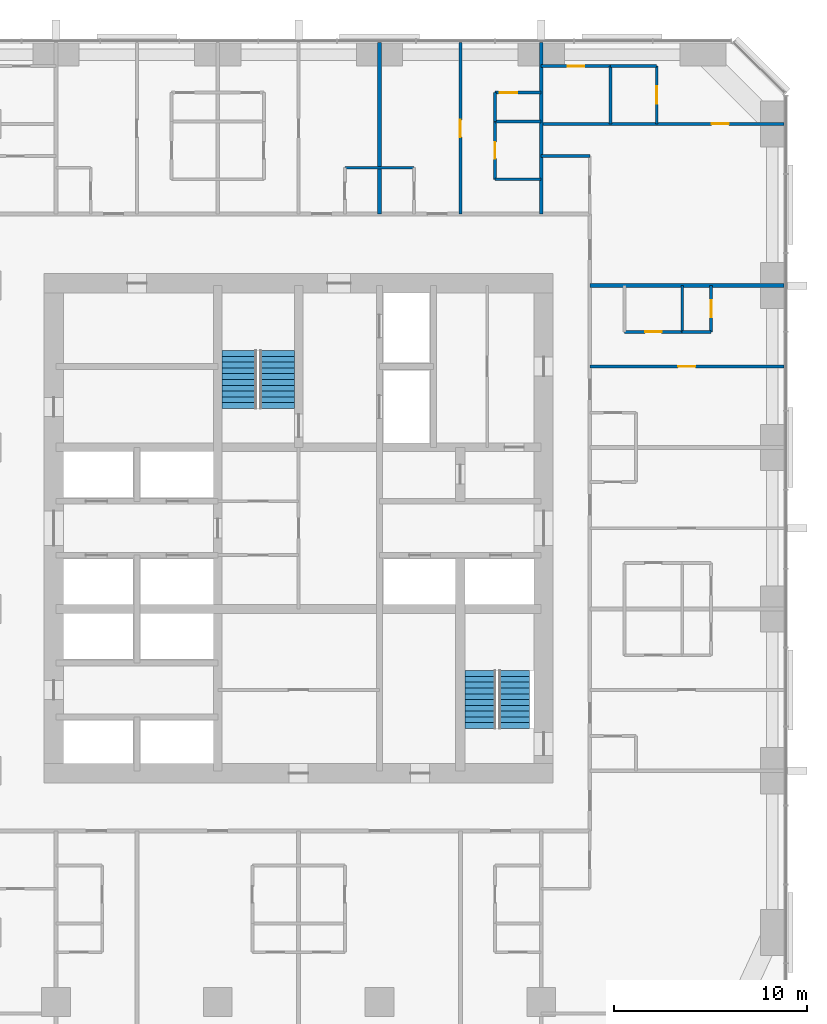
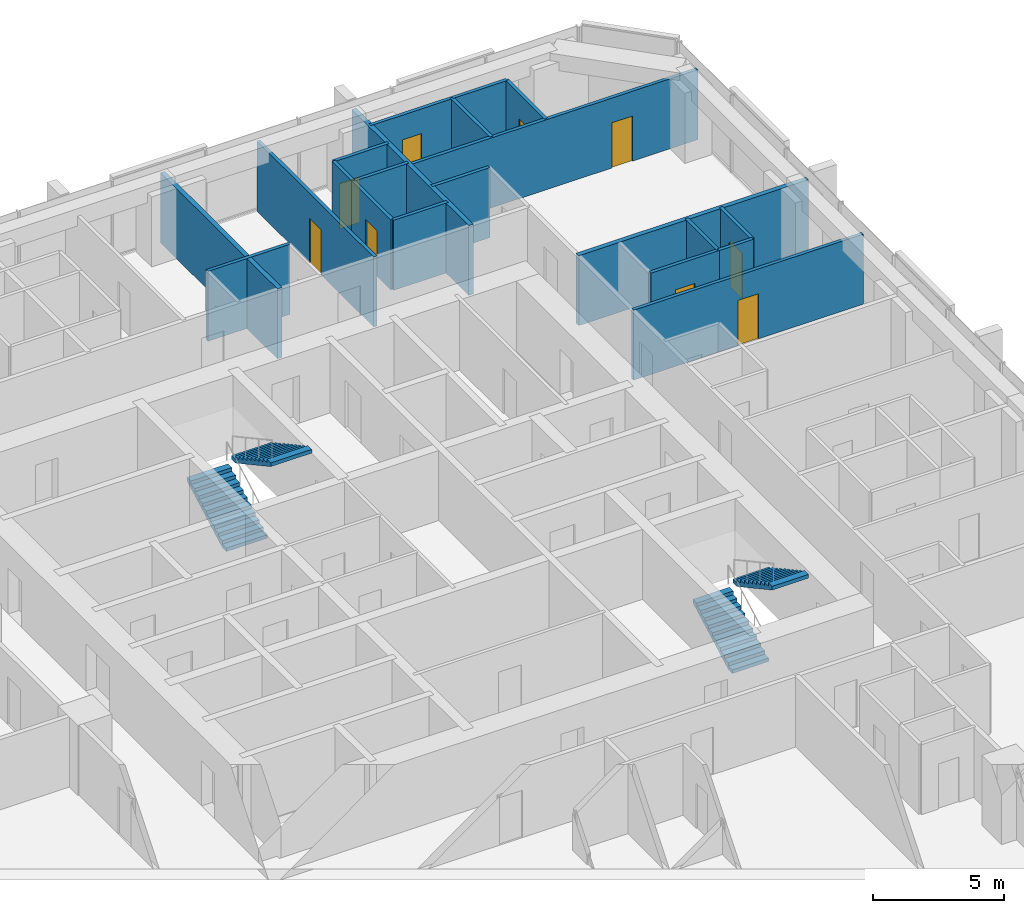
# One storey, part 13 of 14: 21 walls, 9 doors, 4 stair flights, 9 openings, 2 elements without a shape of their own.
"""IFC4 building model written with IfcOpenShell, lengths in metres."""

import ifcopenshell
import ifcopenshell.guid

model = None  # the IFC model being written
_history = None  # IfcOwnerHistory: only IFC2X3 demands one
_inside = {}  # id of a spatial element -> (the spatial element, [elements in it])
_under = {}  # id of a project, library or spatial element -> (it, [spatial elements below it])
_declared = {}  # id of a project -> (the project, [libraries it declares])
_typed = {}  # id of a type object -> (the type object, [elements of that type])
_made_of = {}  # id of a material, layer set ... -> (it, [elements and type objects made of it])


def new_model(schema):
    """Start an empty IFC model of exactly this schema.

    Asked for "IFC4X3", IfcOpenShell would pick the latest addendum, in which some entities
    have other attributes; the version numbers below select the first issue.
    IFC2X3 requires an IfcOwnerHistory on every rooted entity: one is made here for all.
    """
    global model, _history
    if schema == "IFC4X3":
        model = ifcopenshell.file(schema_version=(4, 3, 0, 0))
    else:
        model = ifcopenshell.file(schema=schema)
    _inside.clear()
    _under.clear()
    _declared.clear()
    _typed.clear()
    _made_of.clear()
    _history = None
    if model.schema == "IFC2X3":
        org = make("IfcOrganization", Name="unknown")
        user = make(
            "IfcPersonAndOrganization",
            ThePerson=make("IfcPerson", FamilyName="unknown"),
            TheOrganization=org,
        )
        app = make(
            "IfcApplication",
            ApplicationDeveloper=org,
            Version="unknown",
            ApplicationFullName="unknown",
            ApplicationIdentifier="unknown",
        )
        _history = make(
            "IfcOwnerHistory",
            OwningUser=user,
            OwningApplication=app,
            ChangeAction="ADDED",
            CreationDate=0,
        )
    return model


def make(cls, **values):
    """One entity of the class cls with the attributes given. An attribute that is None is left unset."""
    return model.create_entity(
        cls, **{name: value for name, value in values.items() if value is not None}
    )


def rooted(cls, **values):
    """An entity with a GlobalId (a new one), such as an element, a storey or a relation."""
    return make(cls, GlobalId=ifcopenshell.guid.new(), OwnerHistory=_history, **values)


def si_unit(unit_type, name, prefix=None):
    """IfcSIUnit, for example si_unit("LENGTHUNIT", "METRE", prefix="MILLI")."""
    return make("IfcSIUnit", UnitType=unit_type, Prefix=prefix, Name=name)


def assignment(units):
    """IfcUnitAssignment: the units of a project."""
    return None if units is None else make("IfcUnitAssignment", Units=units)


def point(xyz):
    """IfcCartesianPoint."""
    return None if xyz is None else make("IfcCartesianPoint", Coordinates=xyz)


def direction(xyz):
    """IfcDirection."""
    return None if xyz is None else make("IfcDirection", DirectionRatios=xyz)


def frame(location, z_axis=None, x_axis=None):
    """IfcAxis2Placement3D, a coordinate frame: its origin and axes. An axis left out is left unset."""
    return make(
        "IfcAxis2Placement3D",
        Location=point(location),
        Axis=direction(z_axis),
        RefDirection=direction(x_axis),
    )


def frame_2d(location, x_axis=None):
    """IfcAxis2Placement2D, a coordinate frame in the plane: its origin and x axis."""
    return make(
        "IfcAxis2Placement2D", Location=point(location), RefDirection=direction(x_axis)
    )


def origin():
    """The frame at (0, 0, 0) with its axes left unset."""
    return frame((0.0, 0.0, 0.0))


def place(relative_to, where):
    """IfcLocalPlacement: puts the frame where relative to a parent placement (None: the world)."""
    return make(
        "IfcLocalPlacement", PlacementRelTo=relative_to, RelativePlacement=where
    )


def context(
    kind, dimensions, precision=None, world=None, true_north=None, identifier=None
):
    """IfcGeometricRepresentationContext, for example the 3D "Model" context."""
    return make(
        "IfcGeometricRepresentationContext",
        ContextIdentifier=identifier,
        ContextType=kind,
        CoordinateSpaceDimension=dimensions,
        Precision=precision,
        WorldCoordinateSystem=world,
        TrueNorth=true_north,
    )


def subcontext(parent, identifier, kind, view, scale=None):
    """IfcGeometricRepresentationSubContext, for example "Body" below "Model"."""
    return make(
        "IfcGeometricRepresentationSubContext",
        ContextIdentifier=identifier,
        ContextType=kind,
        ParentContext=parent,
        TargetScale=scale,
        TargetView=view,
    )


def project(units=None, contexts=None):
    """IfcProject with its units and contexts."""
    return rooted(
        "IfcProject",
        Name="project",
        RepresentationContexts=contexts,
        UnitsInContext=assignment(units),
    )


def spatial(cls, under=None, at=None, **own):
    """A site, building, storey or space (cls), placed at a placement, below another one or the project."""
    s = rooted(cls, ObjectPlacement=at, **own)
    if under is not None:
        _under.setdefault(under.id(), (under, []))[1].append(s)
    return s


def polyline(points):
    """IfcPolyline through the points."""
    return make("IfcPolyline", Points=[point(p) for p in points])


def profile(cls, at=None, kind="AREA", **sizes):
    """A parametric profile (cls). Its sizes go by their IFC names, for example OverallWidth=200.0."""
    return make(cls, ProfileType=kind, Position=at, **sizes)


def rectangle(**sizes):
    """IfcRectangleProfileDef."""
    return profile("IfcRectangleProfileDef", **sizes)


def outline(outer, holes=None, kind="AREA"):
    """IfcArbitraryClosedProfileDef: a profile drawn as a closed curve; with holes, ...WithVoids."""
    if holes is None:
        return make("IfcArbitraryClosedProfileDef", ProfileType=kind, OuterCurve=outer)
    return make(
        "IfcArbitraryProfileDefWithVoids",
        ProfileType=kind,
        OuterCurve=outer,
        InnerCurves=holes,
    )


def extrude(swept, where, along, depth):
    """IfcExtrudedAreaSolid: the profile swept, set in the frame where, extruded along a direction by depth."""
    return make(
        "IfcExtrudedAreaSolid",
        SweptArea=swept,
        Position=where,
        ExtrudedDirection=direction(along),
        Depth=depth,
    )


def shape(context_of_items, identifier, shape_type, items):
    """IfcShapeRepresentation: the items that make up one representation, for example the "Body"."""
    return make(
        "IfcShapeRepresentation",
        ContextOfItems=context_of_items,
        RepresentationIdentifier=identifier,
        RepresentationType=shape_type,
        Items=items,
    )


def material(Name=None, Category=None):
    """IfcMaterial."""
    return make("IfcMaterial", Name=Name, Category=Category)


def layer(
    of_material, thickness, ventilated=None, Name=None, Category=None, Priority=None
):
    """IfcMaterialLayer: one layer of a wall or slab, of a material (None: an air gap)."""
    return make(
        "IfcMaterialLayer",
        Material=of_material,
        LayerThickness=thickness,
        IsVentilated=ventilated,
        Name=Name,
        Category=Category,
        Priority=Priority,
    )


def layer_set(layers, Name=None):
    """IfcMaterialLayerSet."""
    return make("IfcMaterialLayerSet", MaterialLayers=layers, LayerSetName=Name)


def made_of(thing, what):
    """Note that an element or type object is made of a material, layer set ...; save() writes the relation."""
    if what is not None:
        _made_of.setdefault(what.id(), (what, []))[1].append(thing)
    return thing


def type_object(cls, material=None, **own):
    """A type object (cls), such as IfcWallType, which elements share."""
    return made_of(rooted(cls, **own), material)


def element(
    cls,
    number,
    at=None,
    inside=None,
    cuts=None,
    type_object=None,
    material=None,
    context=None,
    identifier="Body",
    shape_type=None,
    held_by="IfcProductDefinitionShape",
    body=None,
    shapes=None,
    **own,
):
    """One element of the class cls, such as IfcWall. Its Tag is "e" and its number.

    at: its placement. inside: the storey or other place that contains it. cuts: it is an
    opening in that element (IfcRelVoidsElement). A single representation is given by context,
    identifier, shape_type and body (its items); several are given by shapes. held_by: the class
    of the entity that holds the representations. save() writes the other relations.
    """
    e = rooted(cls, Tag="e%d" % number, ObjectPlacement=at, **own)
    if body is not None:
        shapes = [shape(context, identifier, shape_type, body)]
    if shapes is not None:
        e.Representation = make(held_by, Representations=shapes)
    if inside is not None:
        _inside.setdefault(inside.id(), (inside, []))[1].append(e)
    if cuts is not None:
        rooted(
            "IfcRelVoidsElement", RelatingBuildingElement=cuts, RelatedOpeningElement=e
        )
    if type_object is not None:
        _typed.setdefault(type_object.id(), (type_object, []))[1].append(e)
    return made_of(e, material)


def fill(opening, filler):
    """IfcRelFillsElement: the door or window that sits in an opening."""
    return rooted(
        "IfcRelFillsElement",
        RelatingOpeningElement=opening,
        RelatedBuildingElement=filler,
    )


def aggregate(whole, parts):
    """IfcRelAggregates: a whole, such as a stair, and the parts it consists of."""
    return rooted("IfcRelAggregates", RelatingObject=whole, RelatedObjects=parts)


def save(model, path):
    """Write the relations noted so far, then the file.

    IfcRelAggregates (storeys below a building ...), IfcRelContainedInSpatialStructure (elements
    in a storey), IfcRelDefinesByType, IfcRelAssociatesMaterial and IfcRelDeclares: one each for
    every whole, place, type object, material and project.
    """
    for whole, parts in _under.values():
        aggregate(whole, parts)
    for where, things in _inside.values():
        rooted(
            "IfcRelContainedInSpatialStructure",
            RelatedElements=things,
            RelatingStructure=where,
        )
    for kind, things in _typed.values():
        rooted("IfcRelDefinesByType", RelatedObjects=things, RelatingType=kind)
    for what, things in _made_of.values():
        rooted("IfcRelAssociatesMaterial", RelatedObjects=things, RelatingMaterial=what)
    for by, libraries in _declared.values():
        rooted("IfcRelDeclares", RelatingContext=by, RelatedDefinitions=libraries)
    model.write(path)


model = new_model("IFC4")

# Units and contexts
model_context = context("Model", 3, precision=1e-05, world=origin(), true_north=direction((0.0, 1.0)))
body_context = subcontext(model_context, "Body", "Model", "MODEL_VIEW")
ifc_project = project(units=[si_unit("LENGTHUNIT", "METRE"), si_unit("AREAUNIT", "SQUARE_METRE"), si_unit("VOLUMEUNIT", "CUBIC_METRE"), si_unit("PLANEANGLEUNIT", "RADIAN"), si_unit("MASSUNIT", "GRAM", prefix="KILO")], contexts=[model_context])

# Site, building, storey
site_placement = place(None, origin())
site = spatial("IfcSite", under=ifc_project, at=site_placement, CompositionType="ELEMENT")
building_placement = place(site_placement, origin())
building = spatial("IfcBuilding", under=site, at=building_placement, Name="Dunama Terrace Hotel", CompositionType="ELEMENT")
storey_placement = place(building_placement, frame((0.0, 0.0, 129.60009765625)))
storey = spatial("IfcBuildingStorey", under=building, at=storey_placement, Name="L33", CompositionType="ELEMENT", Elevation=129.60009765625)

# Wall, opening, door
ifc_material_1 = material(Name="Gypsum board partition", Category="masonry")
ifc_layer_1 = layer(ifc_material_1, 0.14990234375)
ifc_layer_set_1 = layer_set([ifc_layer_1], Name="Bathroom partition 150")
wall_type_1 = type_object("IfcWallType", Name="Bathroom partition 150", PredefinedType="PARTITIONING", material=ifc_layer_set_1)
wall_1_placement = place(storey_placement, frame((39.60009765625, 47.52490234375, 0.0), z_axis=(0.0, 0.0, 1.0), x_axis=(0.0, 1.0, 0.0)))
wall_1 = element("IfcWall", 1, at=wall_1_placement, inside=storey, type_object=wall_type_1, Name="Bathroom partition 150 L33", PredefinedType="PARTITIONING", context=body_context, shape_type="SweptSolid", body=[
    extrude(rectangle(XDim=3.0, YDim=0.14990234375, at=frame_2d((1.5, 0.0))), origin(), (0.0, 0.0, 1.0), 3.25),
])
opening_1_placement = place(wall_1_placement, frame((1.074951171875, 0.0, 0.0)))
opening_1 = element("IfcOpeningElement", 2, at=opening_1_placement, cuts=wall_1, Name="Opening L31-33-051", PredefinedType="OPENING", context=body_context, shape_type="SweptSolid", body=[
    extrude(rectangle(XDim=0.85009765625, YDim=2.10009765625, at=frame_2d((0.425048828125, 1.050048828125))), frame((0.0, 0.0849609375, 0.0), z_axis=(0.0, -1.0, 0.0), x_axis=(1.0, 0.0, 0.0)), (0.0, 0.0, 1.0), 0.169921875),
])
ifc_material_2 = material(Name="Timber door with steel frame", Category="steel")
door_type_1 = type_object("IfcDoorType", Name="Bathroom door 850", OperationType="SINGLE_SWING_LEFT", PredefinedType="DOOR", material=ifc_material_2)
door_1_placement = place(opening_1_placement, frame((0.85009765625, 0.0, 0.0), z_axis=(0.0, 0.0, 1.0), x_axis=(-1.0, 0.0, 0.0)))
door_1 = element("IfcDoor", 3, at=door_1_placement, inside=storey, type_object=door_type_1, Name="Door to en-suite bathroom L31-33-051, type D2", OperationType="SINGLE_SWING_LEFT", OverallHeight=2.10009765625, OverallWidth=0.85009765625, PredefinedType="DOOR", context=body_context, shape_type="SweptSolid", body=[
    extrude(rectangle(XDim=0.85009765625, YDim=2.10009765625, at=frame_2d((0.425048828125, 1.050048828125))), frame((0.0, 0.025146484375, 0.0), z_axis=(0.0, -1.0, 0.0), x_axis=(1.0, 0.0, 0.0)), (0.0, 0.0, 1.0), 0.050048828125),
])
fill(opening_1, door_1)

wall_2_placement = place(storey_placement, frame((46.324951171875, 39.60009765625, 0.0), z_axis=(0.0, 0.0, 1.0), x_axis=(1.0, 0.0, 0.0)))
wall_2 = element("IfcWall", 4, at=wall_2_placement, inside=storey, type_object=wall_type_1, Name="Bathroom partition 150 L33", PredefinedType="PARTITIONING", context=body_context, shape_type="SweptSolid", body=[
    extrude(rectangle(XDim=3.0, YDim=0.14990234375, at=frame_2d((1.5, 0.0))), origin(), (0.0, 0.0, 1.0), 3.25),
])
opening_2_placement = place(wall_2_placement, frame((1.074951171875, 0.0, 0.0)))
opening_2 = element("IfcOpeningElement", 5, at=opening_2_placement, cuts=wall_2, Name="Opening L31-33-036", PredefinedType="OPENING", context=body_context, shape_type="SweptSolid", body=[
    extrude(rectangle(XDim=0.85009765625, YDim=2.10009765625, at=frame_2d((0.425048828125, 1.050048828125))), frame((0.0, 0.0849609375, 0.0), z_axis=(0.0, -1.0, 0.0), x_axis=(1.0, 0.0, 0.0)), (0.0, 0.0, 1.0), 0.169921875),
])
door_2_placement = place(opening_2_placement, origin())
door_2 = element("IfcDoor", 6, at=door_2_placement, inside=storey, type_object=door_type_1, Name="Door to en-suite bathroom L31-33-036, type D2", OperationType="SINGLE_SWING_RIGHT", OverallHeight=2.10009765625, OverallWidth=0.85009765625, PredefinedType="DOOR", context=body_context, shape_type="SweptSolid", body=[
    extrude(rectangle(XDim=0.85009765625, YDim=2.10009765625, at=frame_2d((0.425048828125, 1.050048828125))), frame((0.0, 0.02490234375, 0.0), z_axis=(0.0, -1.0, 0.0), x_axis=(1.0, 0.0, 0.0)), (0.0, 0.0, 1.0), 0.050048828125),
])
fill(opening_2, door_2)

# Walls
wall_3_placement = place(storey_placement, frame((39.60009765625, 47.52490234375, 0.0), z_axis=(0.0, 0.0, 1.0), x_axis=(1.0, 0.0, 0.0)))
element("IfcWall", 7, at=wall_3_placement, inside=storey, type_object=wall_type_1, Name="Bathroom partition 150 L33", PredefinedType="PARTITIONING", context=body_context, shape_type="SweptSolid", body=[
    extrude(rectangle(XDim=2.39990234375, YDim=0.14990234375, at=frame_2d((1.199951171875, 0.0))), origin(), (0.0, 0.0, 1.0), 3.25),
])
wall_4_placement = place(storey_placement, frame((31.800048828125, 48.125, 0.0), z_axis=(0.0, 0.0, 1.0), x_axis=(1.0, 0.0, 0.0)))
element("IfcWall", 8, at=wall_4_placement, inside=storey, type_object=wall_type_1, Name="Bathroom partition 150 L33", PredefinedType="PARTITIONING", context=body_context, shape_type="SweptSolid", body=[
    extrude(rectangle(XDim=3.599853515625, YDim=0.14990234375, at=frame_2d((1.7998046875, 0.0))), origin(), (0.0, 0.0, 1.0), 3.25),
])
wall_5_placement = place(storey_placement, frame((42.0, 48.72509765625, 0.0), z_axis=(0.0, 0.0, 1.0), x_axis=(1.0, 0.0, 0.0)))
element("IfcWall", 9, at=wall_5_placement, inside=storey, type_object=wall_type_1, Name="Bathroom partition 150 L33", PredefinedType="PARTITIONING", context=body_context, shape_type="SweptSolid", body=[
    extrude(rectangle(XDim=2.52490234375, YDim=0.14990234375, at=frame_2d((1.262451171875, 0.0))), origin(), (0.0, 0.0, 1.0), 3.25),
])

# Wall, opening, door
wall_6_placement = place(storey_placement, frame((42.0, 53.39990234375, 0.0), z_axis=(0.0, 0.0, 1.0), x_axis=(1.0, 0.0, 0.0)))
wall_6 = element("IfcWall", 10, at=wall_6_placement, inside=storey, type_object=wall_type_1, Name="Bathroom partition 150 L33", PredefinedType="PARTITIONING", context=body_context, shape_type="SweptSolid", body=[
    extrude(rectangle(XDim=3.60009765625, YDim=0.14990234375, at=frame_2d((1.800048828125, 0.0))), origin(), (0.0, 0.0, 1.0), 3.25),
])
opening_3_placement = place(wall_6_placement, frame((1.375, 0.0, 0.0)))
opening_3 = element("IfcOpeningElement", 11, at=opening_3_placement, cuts=wall_6, Name="Opening L31-33-075", PredefinedType="OPENING", context=body_context, shape_type="SweptSolid", body=[
    extrude(rectangle(XDim=0.85009765625, YDim=2.10009765625, at=frame_2d((0.425048828125, 1.050048828125))), frame((0.0, 0.0849609375, 0.0), z_axis=(0.0, -1.0, 0.0), x_axis=(1.0, 0.0, 0.0)), (0.0, 0.0, 1.0), 0.169921875),
])
door_3_placement = place(opening_3_placement, frame((0.85009765625, 0.0, 0.0), z_axis=(0.0, 0.0, 1.0), x_axis=(-1.0, 0.0, 0.0)))
door_3 = element("IfcDoor", 12, at=door_3_placement, inside=storey, type_object=door_type_1, Name="Door to en-suite bathroom L31-33-075, type D2", OperationType="SINGLE_SWING_RIGHT", OverallHeight=2.10009765625, OverallWidth=0.85009765625, PredefinedType="DOOR", context=body_context, shape_type="SweptSolid", body=[
    extrude(rectangle(XDim=0.85009765625, YDim=2.10009765625, at=frame_2d((0.425048828125, 1.050048828125))), frame((0.0, 0.025146484375, 0.0), z_axis=(0.0, -1.0, 0.0), x_axis=(1.0, 0.0, 0.0)), (0.0, 0.0, 1.0), 0.050048828125),
])
fill(opening_3, door_3)

# Walls
ifc_material_3 = material(Name="Concrete blockwork", Category="masonry")
ifc_layer_2 = layer(ifc_material_3, 0.199951171875)
ifc_layer_set_2 = layer_set([ifc_layer_2], Name="Party wall 200")
wall_type_2 = type_object("IfcWallType", Name="Party wall 200", PredefinedType="PARTITIONING", material=ifc_layer_set_2)
for number, where, z_axis, x_axis, name in (
    (13, (33.60009765625, 45.72509765625, 0.0), (0.0, 0.0, 1.0), (0.0, 1.0, 0.0), "Party wall 200 L33"),
    (14, (42.0, 45.72509765625, 0.0), (0.0, 0.0, 1.0), (0.0, 1.0, 0.0), "Party wall 200 L33"),
):
    element("IfcWall", number, at=place(storey_placement, frame(where, z_axis=z_axis, x_axis=x_axis)), inside=storey, type_object=wall_type_2, Name=name, PredefinedType="PARTITIONING", context=body_context, shape_type="SweptSolid", body=[
        extrude(rectangle(XDim=8.892822265625, YDim=0.199951171875, at=frame_2d((4.4462890625, 0.0))), origin(), (0.0, 0.0, 1.0), 3.25),
    ])
wall_7_placement = place(storey_placement, frame((44.52490234375, 42.0, 0.0), z_axis=(0.0, 0.0, 1.0), x_axis=(1.0, 0.0, 0.0)))
element("IfcWall", 15, at=wall_7_placement, inside=storey, type_object=wall_type_2, Name="Party wall 200 L33", PredefinedType="PARTITIONING", context=body_context, shape_type="SweptSolid", body=[
    extrude(rectangle(XDim=10.093017578125, YDim=0.199951171875, at=frame_2d((5.04638671875, 0.0))), origin(), (0.0, 0.0, 1.0), 3.25),
])

# Wall, opening, door
ifc_material_4 = material(Name="Gypsum board partition", Category="masonry")
ifc_layer_3 = layer(ifc_material_4, 0.14990234375)
ifc_layer_set_3 = layer_set([ifc_layer_3], Name="Room partition 150")
wall_type_3 = type_object("IfcWallType", Name="Room partition 150", PredefinedType="PARTITIONING", material=ifc_layer_set_3)
wall_8_placement = place(storey_placement, frame((37.800048828125, 45.72509765625, 0.0), z_axis=(0.0, 0.0, 1.0), x_axis=(0.0, 1.0, 0.0)))
wall_8 = element("IfcWall", 16, at=wall_8_placement, inside=storey, type_object=wall_type_3, Name="Room partition 150 L33", PredefinedType="PARTITIONING", context=body_context, shape_type="SweptSolid", body=[
    extrude(rectangle(XDim=8.892822265625, YDim=0.14990234375, at=frame_2d((4.4462890625, 0.0))), origin(), (0.0, 0.0, 1.0), 3.25),
])
opening_4_placement = place(wall_8_placement, frame((3.987060546875, 0.0, 0.0)))
opening_4 = element("IfcOpeningElement", 17, at=opening_4_placement, cuts=wall_8, Name="Opening L31-33-050", PredefinedType="OPENING", context=body_context, shape_type="SweptSolid", body=[
    extrude(rectangle(XDim=0.89990234375, YDim=2.10009765625, at=frame_2d((0.449951171875, 1.050048828125))), frame((0.0, 0.0849609375, 0.0), z_axis=(0.0, -1.0, 0.0), x_axis=(1.0, 0.0, 0.0)), (0.0, 0.0, 1.0), 0.169921875),
])
ifc_material_5 = material(Name="Timber door with steel frame", Category="steel")
door_type_2 = type_object("IfcDoorType", Name="Suite internal door 900", OperationType="SINGLE_SWING_LEFT", PredefinedType="DOOR", material=ifc_material_5)
door_4_placement = place(opening_4_placement, frame((0.89990234375, 0.0, 0.0), z_axis=(0.0, 0.0, 1.0), x_axis=(-1.0, 0.0, 0.0)))
door_4 = element("IfcDoor", 18, at=door_4_placement, inside=storey, type_object=door_type_2, Name="Door to premier suite bedroom L31-33-050, type D16", OperationType="SINGLE_SWING_RIGHT", OverallHeight=2.10009765625, OverallWidth=0.89990234375, PredefinedType="DOOR", context=body_context, shape_type="SweptSolid", body=[
    extrude(rectangle(XDim=0.89990234375, YDim=2.10009765625, at=frame_2d((0.449951171875, 1.050048828125))), frame((0.0, 0.025146484375, 0.0), z_axis=(0.0, -1.0, 0.0), x_axis=(1.0, 0.0, 0.0)), (0.0, 0.0, 1.0), 0.050048828125),
])
fill(opening_4, door_4)

# Walls
wall_9_placement = place(storey_placement, frame((39.60009765625, 50.52490234375, 0.0), z_axis=(0.0, 0.0, 1.0), x_axis=(0.0, 1.0, 0.0)))
element("IfcWall", 19, at=wall_9_placement, inside=storey, type_object=wall_type_3, Name="Room partition 150 L33", PredefinedType="PARTITIONING", context=body_context, shape_type="SweptSolid", body=[
    extrude(rectangle(XDim=1.5, YDim=0.14990234375, at=frame_2d((0.75, 0.0))), origin(), (0.0, 0.0, 1.0), 3.25),
])
wall_10_placement = place(storey_placement, frame((45.60009765625, 50.39990234375, 0.0), z_axis=(0.0, 0.0, 1.0), x_axis=(0.0, 1.0, 0.0)))
element("IfcWall", 20, at=wall_10_placement, inside=storey, type_object=wall_type_3, Name="Room partition 150 L33", PredefinedType="PARTITIONING", context=body_context, shape_type="SweptSolid", body=[
    extrude(rectangle(XDim=3.0, YDim=0.14990234375, at=frame_2d((1.5, 0.0))), origin(), (0.0, 0.0, 1.0), 3.25),
])

# Wall, opening, door
wall_11_placement = place(storey_placement, frame((48.0, 50.39990234375, 0.0), z_axis=(0.0, 0.0, 1.0), x_axis=(0.0, 1.0, 0.0)))
wall_11 = element("IfcWall", 21, at=wall_11_placement, inside=storey, type_object=wall_type_3, Name="Room partition 150 L33", PredefinedType="PARTITIONING", context=body_context, shape_type="SweptSolid", body=[
    extrude(rectangle(XDim=3.0, YDim=0.14990234375, at=frame_2d((1.5, 0.0))), origin(), (0.0, 0.0, 1.0), 3.25),
])
opening_5_placement = place(wall_11_placement, frame((1.050048828125, 0.0, 0.0)))
opening_5 = element("IfcOpeningElement", 22, at=opening_5_placement, cuts=wall_11, Name="Opening L31-33-076", PredefinedType="OPENING", context=body_context, shape_type="SweptSolid", body=[
    extrude(rectangle(XDim=0.89990234375, YDim=2.10009765625, at=frame_2d((0.449951171875, 1.050048828125))), frame((0.0, 0.0849609375, 0.0), z_axis=(0.0, -1.0, 0.0), x_axis=(1.0, 0.0, 0.0)), (0.0, 0.0, 1.0), 0.169921875),
])
door_5_placement = place(opening_5_placement, origin())
door_5 = element("IfcDoor", 23, at=door_5_placement, inside=storey, type_object=door_type_2, Name="Door to dressing room L31-33-076, type D16", OperationType="SINGLE_SWING_LEFT", OverallHeight=2.10009765625, OverallWidth=0.89990234375, PredefinedType="DOOR", context=body_context, shape_type="SweptSolid", body=[
    extrude(rectangle(XDim=0.89990234375, YDim=2.10009765625, at=frame_2d((0.449951171875, 1.050048828125))), frame((0.0, 0.02490234375, 0.0), z_axis=(0.0, -1.0, 0.0), x_axis=(1.0, 0.0, 0.0)), (0.0, 0.0, 1.0), 0.050048828125),
])
fill(opening_5, door_5)

# Wall
wall_12_placement = place(storey_placement, frame((49.324951171875, 39.60009765625, 0.0), z_axis=(0.0, 0.0, 1.0), x_axis=(0.0, 1.0, 0.0)))
element("IfcWall", 24, at=wall_12_placement, inside=storey, type_object=wall_type_3, Name="Room partition 150 L33", PredefinedType="PARTITIONING", context=body_context, shape_type="SweptSolid", body=[
    extrude(rectangle(XDim=2.39990234375, YDim=0.14990234375, at=frame_2d((1.199951171875, 0.0))), origin(), (0.0, 0.0, 1.0), 3.25),
])

# Wall, opening, door
wall_13_placement = place(storey_placement, frame((50.824951171875, 39.60009765625, 0.0), z_axis=(0.0, 0.0, 1.0), x_axis=(0.0, 1.0, 0.0)))
wall_13 = element("IfcWall", 25, at=wall_13_placement, inside=storey, type_object=wall_type_3, Name="Room partition 150 L33", PredefinedType="PARTITIONING", context=body_context, shape_type="SweptSolid", body=[
    extrude(rectangle(XDim=2.39990234375, YDim=0.14990234375, at=frame_2d((1.199951171875, 0.0))), origin(), (0.0, 0.0, 1.0), 3.25),
])
opening_6_placement = place(wall_13_placement, frame((0.75, 0.0, 0.0)))
opening_6 = element("IfcOpeningElement", 26, at=opening_6_placement, cuts=wall_13, Name="Opening L31-33-037", PredefinedType="OPENING", context=body_context, shape_type="SweptSolid", body=[
    extrude(rectangle(XDim=0.89990234375, YDim=2.10009765625, at=frame_2d((0.449951171875, 1.050048828125))), frame((0.0, 0.0849609375, 0.0), z_axis=(0.0, -1.0, 0.0), x_axis=(1.0, 0.0, 0.0)), (0.0, 0.0, 1.0), 0.169921875),
])
door_6_placement = place(opening_6_placement, origin())
door_6 = element("IfcDoor", 27, at=door_6_placement, inside=storey, type_object=door_type_2, Name="Door to walk-in wardrobe L31-33-037, type D16", OperationType="SINGLE_SWING_LEFT", OverallHeight=2.10009765625, OverallWidth=0.89990234375, PredefinedType="DOOR", context=body_context, shape_type="SweptSolid", body=[
    extrude(rectangle(XDim=0.89990234375, YDim=2.10009765625, at=frame_2d((0.449951171875, 1.050048828125))), frame((0.0, 0.02490234375, 0.0), z_axis=(0.0, -1.0, 0.0), x_axis=(1.0, 0.0, 0.0)), (0.0, 0.0, 1.0), 0.050048828125),
])
fill(opening_6, door_6)

wall_14_placement = place(storey_placement, frame((44.52490234375, 37.800048828125, 0.0), z_axis=(0.0, 0.0, 1.0), x_axis=(1.0, 0.0, 0.0)))
wall_14 = element("IfcWall", 28, at=wall_14_placement, inside=storey, type_object=wall_type_3, Name="Room partition 150 L33", PredefinedType="PARTITIONING", context=body_context, shape_type="SweptSolid", body=[
    extrude(rectangle(XDim=10.093017578125, YDim=0.14990234375, at=frame_2d((5.04638671875, 0.0))), origin(), (0.0, 0.0, 1.0), 3.25),
])
opening_7_placement = place(wall_14_placement, frame((4.5869140625, 0.0, 0.0)))
opening_7 = element("IfcOpeningElement", 29, at=opening_7_placement, cuts=wall_14, Name="Opening L31-33-035", PredefinedType="OPENING", context=body_context, shape_type="SweptSolid", body=[
    extrude(rectangle(XDim=0.89990234375, YDim=2.10009765625, at=frame_2d((0.449951171875, 1.050048828125))), frame((0.0, 0.0849609375, 0.0), z_axis=(0.0, -1.0, 0.0), x_axis=(1.0, 0.0, 0.0)), (0.0, 0.0, 1.0), 0.169921875),
])
door_7_placement = place(opening_7_placement, origin())
door_7 = element("IfcDoor", 30, at=door_7_placement, inside=storey, type_object=door_type_2, Name="Door to executive suite bedroom L31-33-035, type D16", OperationType="SINGLE_SWING_LEFT", OverallHeight=2.10009765625, OverallWidth=0.89990234375, PredefinedType="DOOR", context=body_context, shape_type="SweptSolid", body=[
    extrude(rectangle(XDim=0.89990234375, YDim=2.10009765625, at=frame_2d((0.449951171875, 1.050048828125))), frame((0.0, 0.02490234375, 0.0), z_axis=(0.0, -1.0, 0.0), x_axis=(1.0, 0.0, 0.0)), (0.0, 0.0, 1.0), 0.050048828125),
])
fill(opening_7, door_7)

# Wall
wall_15_placement = place(storey_placement, frame((49.324951171875, 39.60009765625, 0.0), z_axis=(0.0, 0.0, 1.0), x_axis=(1.0, 0.0, 0.0)))
element("IfcWall", 31, at=wall_15_placement, inside=storey, type_object=wall_type_3, Name="Room partition 150 L33", PredefinedType="PARTITIONING", context=body_context, shape_type="SweptSolid", body=[
    extrude(rectangle(XDim=1.5, YDim=0.14990234375, at=frame_2d((0.75, 0.0))), origin(), (0.0, 0.0, 1.0), 3.25),
])

# Wall, opening, door
wall_16_placement = place(storey_placement, frame((42.0, 50.39990234375, 0.0), z_axis=(0.0, 0.0, 1.0), x_axis=(1.0, 0.0, 0.0)))
wall_16 = element("IfcWall", 32, at=wall_16_placement, inside=storey, type_object=wall_type_3, Name="Room partition 150 L33", PredefinedType="PARTITIONING", context=body_context, shape_type="SweptSolid", body=[
    extrude(rectangle(XDim=12.617919921875, YDim=0.14990234375, at=frame_2d((6.30908203125, 0.0))), origin(), (0.0, 0.0, 1.0), 3.25),
])
opening_8_placement = place(wall_16_placement, frame((8.85009765625, 0.0, 0.0)))
opening_8 = element("IfcOpeningElement", 33, at=opening_8_placement, cuts=wall_16, Name="Opening L31-33-074", PredefinedType="OPENING", context=body_context, shape_type="SweptSolid", body=[
    extrude(rectangle(XDim=0.89990234375, YDim=2.10009765625, at=frame_2d((0.449951171875, 1.050048828125))), frame((0.0, 0.0849609375, 0.0), z_axis=(0.0, -1.0, 0.0), x_axis=(1.0, 0.0, 0.0)), (0.0, 0.0, 1.0), 0.169921875),
])
door_8_placement = place(opening_8_placement, origin())
door_8 = element("IfcDoor", 34, at=door_8_placement, inside=storey, type_object=door_type_2, Name="Door to corner suite bedroom L31-33-074, type D16", OperationType="SINGLE_SWING_RIGHT", OverallHeight=2.10009765625, OverallWidth=0.89990234375, PredefinedType="DOOR", context=body_context, shape_type="SweptSolid", body=[
    extrude(rectangle(XDim=0.89990234375, YDim=2.10009765625, at=frame_2d((0.449951171875, 1.050048828125))), frame((0.0, 0.02490234375, 0.0), z_axis=(0.0, -1.0, 0.0), x_axis=(1.0, 0.0, 0.0)), (0.0, 0.0, 1.0), 0.050048828125),
])
fill(opening_8, door_8)

# Wall
wall_17_placement = place(storey_placement, frame((39.60009765625, 50.52490234375, 0.0), z_axis=(0.0, 0.0, 1.0), x_axis=(1.0, 0.0, 0.0)))
element("IfcWall", 35, at=wall_17_placement, inside=storey, type_object=wall_type_3, Name="Room partition 150 L33", PredefinedType="PARTITIONING", context=body_context, shape_type="SweptSolid", body=[
    extrude(rectangle(XDim=2.39990234375, YDim=0.14990234375, at=frame_2d((1.199951171875, 0.0))), origin(), (0.0, 0.0, 1.0), 3.25),
])

# Wall, opening, door
wall_18_placement = place(storey_placement, frame((39.60009765625, 52.02490234375, 0.0), z_axis=(0.0, 0.0, 1.0), x_axis=(1.0, 0.0, 0.0)))
wall_18 = element("IfcWall", 36, at=wall_18_placement, inside=storey, type_object=wall_type_3, Name="Room partition 150 L33", PredefinedType="PARTITIONING", context=body_context, shape_type="SweptSolid", body=[
    extrude(rectangle(XDim=2.39990234375, YDim=0.14990234375, at=frame_2d((1.199951171875, 0.0))), origin(), (0.0, 0.0, 1.0), 3.25),
])
opening_9_placement = place(wall_18_placement, frame((0.25, 0.0, 0.0)))
opening_9 = element("IfcOpeningElement", 37, at=opening_9_placement, cuts=wall_18, Name="Opening L31-33-052", PredefinedType="OPENING", context=body_context, shape_type="SweptSolid", body=[
    extrude(rectangle(XDim=0.89990234375, YDim=2.10009765625, at=frame_2d((0.449951171875, 1.050048828125))), frame((0.0, 0.0849609375, 0.0), z_axis=(0.0, -1.0, 0.0), x_axis=(1.0, 0.0, 0.0)), (0.0, 0.0, 1.0), 0.169921875),
])
door_9_placement = place(opening_9_placement, frame((0.89990234375, 0.0, 0.0), z_axis=(0.0, 0.0, 1.0), x_axis=(-1.0, 0.0, 0.0)))
door_9 = element("IfcDoor", 38, at=door_9_placement, inside=storey, type_object=door_type_2, Name="Door to walk-in wardrobe L31-33-052, type D16", OperationType="SINGLE_SWING_RIGHT", OverallHeight=2.10009765625, OverallWidth=0.89990234375, PredefinedType="DOOR", context=body_context, shape_type="SweptSolid", body=[
    extrude(rectangle(XDim=0.89990234375, YDim=2.10009765625, at=frame_2d((0.449951171875, 1.050048828125))), frame((0.0, 0.025146484375, 0.0), z_axis=(0.0, -1.0, 0.0), x_axis=(1.0, 0.0, 0.0)), (0.0, 0.0, 1.0), 0.050048828125),
])
fill(opening_9, door_9)

# Wall
wall_19_placement = place(storey_placement, frame((45.60009765625, 53.39990234375, 0.0), z_axis=(0.0, 0.0, 1.0), x_axis=(1.0, 0.0, 0.0)))
element("IfcWall", 39, at=wall_19_placement, inside=storey, type_object=wall_type_3, Name="Room partition 150 L33", PredefinedType="PARTITIONING", context=body_context, shape_type="SweptSolid", body=[
    extrude(rectangle(XDim=2.39990234375, YDim=0.14990234375, at=frame_2d((1.199951171875, 0.0))), origin(), (0.0, 0.0, 1.0), 3.25),
])

# Stair, stair flights
ifc_material_6 = material(Name="Concrete C40/50", Category="concrete")
stair_type_1 = type_object("IfcStairType", Name="Stair ST1-3600-1800", PredefinedType="HALF_TURN_STAIR", material=ifc_material_6)
stair_1_placement = place(storey_placement, origin())
stair_1 = element("IfcStair", 40, at=stair_1_placement, inside=storey, type_object=stair_type_1, Name="Stair ST1 L33", PredefinedType="HALF_TURN_STAIR")
ifc_material_7 = material(Name="Concrete C40/50", Category="concrete")
stair_flight_type_1 = type_object("IfcStairFlightType", Name="Stair flight ST1-3600-1800", PredefinedType="STRAIGHT", material=ifc_material_7)
stair_flight_1_placement = place(storey_placement, frame((26.324951171875, 35.625, 0.0), z_axis=(0.0, 0.0, 1.0), x_axis=(0.0, 1.0, 0.0)))
stair_flight_1 = element("IfcStairFlight", 41, at=stair_flight_1_placement, type_object=stair_flight_type_1, Name="ST1 flight 1", NumberOfRisers=11, NumberOfTreads=10, PredefinedType="STRAIGHT", RiserHeight=0.163636364, TreadLength=0.3, context=body_context, shape_type="SweptSolid", body=[
    extrude(outline(polyline([(0.0, 0.0), (0.0, 0.16357421875), (0.300048828125, 0.16357421875), (0.300048828125, 0.327392578125), (0.60009765625, 0.327392578125), (0.60009765625, 0.490966796875), (0.89990234375, 0.490966796875), (0.89990234375, 0.654541015625), (1.199951171875, 0.654541015625), (1.199951171875, 0.818115234375), (1.5, 0.818115234375), (1.5, 0.98193359375), (1.800048828125, 0.98193359375), (1.800048828125, 1.1455078125), (2.10009765625, 1.1455078125), (2.10009765625, 1.30908203125), (2.39990234375, 1.30908203125), (2.39990234375, 1.47265625), (2.699951171875, 1.47265625), (2.699951171875, 1.636474609375), (3.0, 1.636474609375), (3.0, 1.800048828125), (3.0, 1.465576171875), (0.31298828125, 0.0), (0.0, 0.0)])), frame((0.0, 0.89990234375, 0.0), z_axis=(0.0, -1.0, 0.0), x_axis=(1.0, 0.0, 0.0)), (0.0, 0.0, 1.0), 1.800048828125),
])
stair_flight_2_placement = place(storey_placement, frame((28.27490234375, 38.625, 1.7998046875), z_axis=(0.0, 0.0, 1.0), x_axis=(0.0, -1.0, 0.0)))
stair_flight_2 = element("IfcStairFlight", 42, at=stair_flight_2_placement, type_object=stair_flight_type_1, Name="ST1 flight 2", NumberOfRisers=11, NumberOfTreads=10, PredefinedType="STRAIGHT", RiserHeight=0.163636364, TreadLength=0.3, context=body_context, shape_type="SweptSolid", body=[
    extrude(outline(polyline([(0.0, 0.0), (0.0, 0.16357421875), (0.300048828125, 0.16357421875), (0.300048828125, 0.327392578125), (0.60009765625, 0.327392578125), (0.60009765625, 0.490966796875), (0.89990234375, 0.490966796875), (0.89990234375, 0.654541015625), (1.199951171875, 0.654541015625), (1.199951171875, 0.818115234375), (1.5, 0.818115234375), (1.5, 0.98193359375), (1.800048828125, 0.98193359375), (1.800048828125, 1.1455078125), (2.10009765625, 1.1455078125), (2.10009765625, 1.30908203125), (2.39990234375, 1.30908203125), (2.39990234375, 1.47265625), (2.699951171875, 1.47265625), (2.699951171875, 1.636474609375), (3.0, 1.636474609375), (3.0, 1.800048828125), (3.0, 1.465576171875), (0.31298828125, 0.0), (0.0, 0.0)])), frame((0.0, 0.89990234375, 0.0), z_axis=(0.0, -1.0, 0.0), x_axis=(1.0, 0.0, 0.0)), (0.0, 0.0, 1.0), 1.800048828125),
])
aggregate(stair_1, [stair_flight_1, stair_flight_2])

ifc_material_8 = material(Name="Concrete C40/50", Category="concrete")
stair_type_2 = type_object("IfcStairType", Name="Stair ST2-3600-1600", PredefinedType="HALF_TURN_STAIR", material=ifc_material_8)
stair_2_placement = place(storey_placement, origin())
stair_2 = element("IfcStair", 43, at=stair_2_placement, inside=storey, type_object=stair_type_2, Name="Stair ST2 L33", PredefinedType="HALF_TURN_STAIR")
ifc_material_9 = material(Name="Concrete C40/50", Category="concrete")
stair_flight_type_2 = type_object("IfcStairFlightType", Name="Stair flight ST2-3600-1600", PredefinedType="STRAIGHT", material=ifc_material_9)
stair_flight_3_placement = place(storey_placement, frame((38.85009765625, 19.0, 0.0), z_axis=(0.0, 0.0, 1.0), x_axis=(0.0, 1.0, 0.0)))
stair_flight_3 = element("IfcStairFlight", 44, at=stair_flight_3_placement, type_object=stair_flight_type_2, Name="ST2 flight 1", NumberOfRisers=11, NumberOfTreads=10, PredefinedType="STRAIGHT", RiserHeight=0.163636364, TreadLength=0.3, context=body_context, shape_type="SweptSolid", body=[
    extrude(outline(polyline([(0.0, 0.0), (0.0, 0.16357421875), (0.300048828125, 0.16357421875), (0.300048828125, 0.327392578125), (0.60009765625, 0.327392578125), (0.60009765625, 0.490966796875), (0.89990234375, 0.490966796875), (0.89990234375, 0.654541015625), (1.199951171875, 0.654541015625), (1.199951171875, 0.818115234375), (1.5, 0.818115234375), (1.5, 0.98193359375), (1.800048828125, 0.98193359375), (1.800048828125, 1.1455078125), (2.10009765625, 1.1455078125), (2.10009765625, 1.30908203125), (2.39990234375, 1.30908203125), (2.39990234375, 1.47265625), (2.699951171875, 1.47265625), (2.699951171875, 1.636474609375), (3.0, 1.636474609375), (3.0, 1.800048828125), (3.0, 1.465576171875), (0.31298828125, 0.0), (0.0, 0.0)])), frame((0.0, 0.800048828125, 0.0), z_axis=(0.0, -1.0, 0.0), x_axis=(1.0, 0.0, 0.0)), (0.0, 0.0, 1.0), 1.60009765625),
])
stair_flight_4_placement = place(storey_placement, frame((40.60009765625, 22.0, 1.7998046875), z_axis=(0.0, 0.0, 1.0), x_axis=(0.0, -1.0, 0.0)))
stair_flight_4 = element("IfcStairFlight", 45, at=stair_flight_4_placement, type_object=stair_flight_type_2, Name="ST2 flight 2", NumberOfRisers=11, NumberOfTreads=10, PredefinedType="STRAIGHT", RiserHeight=0.163636364, TreadLength=0.3, context=body_context, shape_type="SweptSolid", body=[
    extrude(outline(polyline([(0.0, 0.0), (0.0, 0.16357421875), (0.300048828125, 0.16357421875), (0.300048828125, 0.327392578125), (0.60009765625, 0.327392578125), (0.60009765625, 0.490966796875), (0.89990234375, 0.490966796875), (0.89990234375, 0.654541015625), (1.199951171875, 0.654541015625), (1.199951171875, 0.818115234375), (1.5, 0.818115234375), (1.5, 0.98193359375), (1.800048828125, 0.98193359375), (1.800048828125, 1.1455078125), (2.10009765625, 1.1455078125), (2.10009765625, 1.30908203125), (2.39990234375, 1.30908203125), (2.39990234375, 1.47265625), (2.699951171875, 1.47265625), (2.699951171875, 1.636474609375), (3.0, 1.636474609375), (3.0, 1.800048828125), (3.0, 1.465576171875), (0.31298828125, 0.0), (0.0, 0.0)])), frame((0.0, 0.800048828125, 0.0), z_axis=(0.0, -1.0, 0.0), x_axis=(1.0, 0.0, 0.0)), (0.0, 0.0, 1.0), 1.60009765625),
])
aggregate(stair_2, [stair_flight_3, stair_flight_4])

save(model, "model.ifc")
